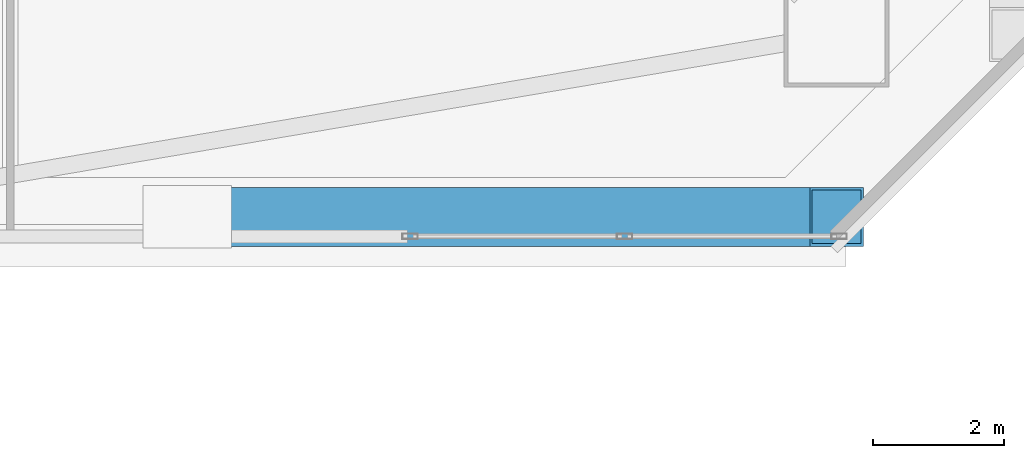
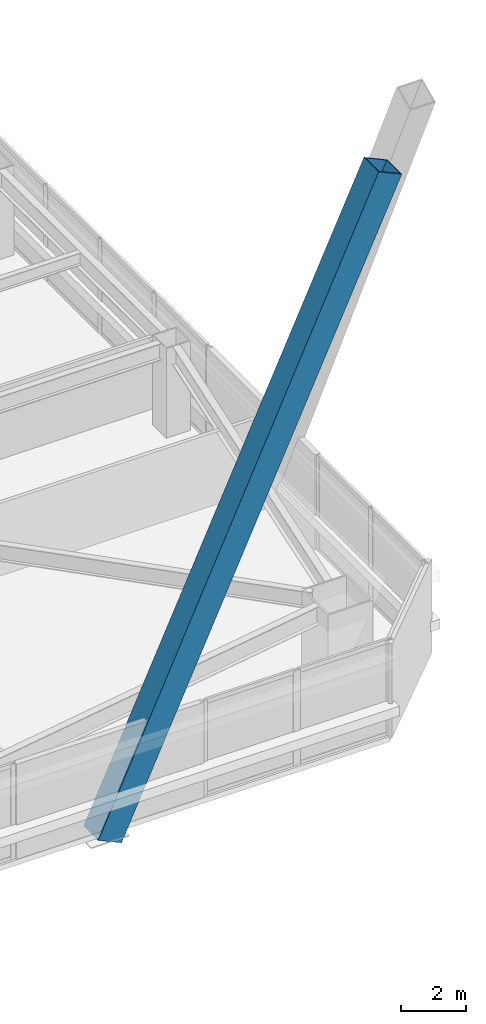
# One storey, part 11 of 75: 1 member.
"""IFC4 building model written with IfcOpenShell, lengths in metres."""

import ifcopenshell
import ifcopenshell.guid

model = None  # the IFC model being written
_history = None  # IfcOwnerHistory: only IFC2X3 demands one
_inside = {}  # id of a spatial element -> (the spatial element, [elements in it])
_under = {}  # id of a project, library or spatial element -> (it, [spatial elements below it])
_declared = {}  # id of a project -> (the project, [libraries it declares])
_typed = {}  # id of a type object -> (the type object, [elements of that type])
_made_of = {}  # id of a material, layer set ... -> (it, [elements and type objects made of it])


def new_model(schema):
    """Start an empty IFC model of exactly this schema.

    Asked for "IFC4X3", IfcOpenShell would pick the latest addendum, in which some entities
    have other attributes; the version numbers below select the first issue.
    IFC2X3 requires an IfcOwnerHistory on every rooted entity: one is made here for all.
    """
    global model, _history
    if schema == "IFC4X3":
        model = ifcopenshell.file(schema_version=(4, 3, 0, 0))
    else:
        model = ifcopenshell.file(schema=schema)
    _inside.clear()
    _under.clear()
    _declared.clear()
    _typed.clear()
    _made_of.clear()
    _history = None
    if model.schema == "IFC2X3":
        org = make("IfcOrganization", Name="unknown")
        user = make(
            "IfcPersonAndOrganization",
            ThePerson=make("IfcPerson", FamilyName="unknown"),
            TheOrganization=org,
        )
        app = make(
            "IfcApplication",
            ApplicationDeveloper=org,
            Version="unknown",
            ApplicationFullName="unknown",
            ApplicationIdentifier="unknown",
        )
        _history = make(
            "IfcOwnerHistory",
            OwningUser=user,
            OwningApplication=app,
            ChangeAction="ADDED",
            CreationDate=0,
        )
    return model


def make(cls, **values):
    """One entity of the class cls with the attributes given. An attribute that is None is left unset."""
    return model.create_entity(
        cls, **{name: value for name, value in values.items() if value is not None}
    )


def rooted(cls, **values):
    """An entity with a GlobalId (a new one), such as an element, a storey or a relation."""
    return make(cls, GlobalId=ifcopenshell.guid.new(), OwnerHistory=_history, **values)


def si_unit(unit_type, name, prefix=None):
    """IfcSIUnit, for example si_unit("LENGTHUNIT", "METRE", prefix="MILLI")."""
    return make("IfcSIUnit", UnitType=unit_type, Prefix=prefix, Name=name)


def assignment(units):
    """IfcUnitAssignment: the units of a project."""
    return None if units is None else make("IfcUnitAssignment", Units=units)


def point(xyz):
    """IfcCartesianPoint."""
    return None if xyz is None else make("IfcCartesianPoint", Coordinates=xyz)


def direction(xyz):
    """IfcDirection."""
    return None if xyz is None else make("IfcDirection", DirectionRatios=xyz)


def frame(location, z_axis=None, x_axis=None):
    """IfcAxis2Placement3D, a coordinate frame: its origin and axes. An axis left out is left unset."""
    return make(
        "IfcAxis2Placement3D",
        Location=point(location),
        Axis=direction(z_axis),
        RefDirection=direction(x_axis),
    )


def frame_2d(location, x_axis=None):
    """IfcAxis2Placement2D, a coordinate frame in the plane: its origin and x axis."""
    return make(
        "IfcAxis2Placement2D", Location=point(location), RefDirection=direction(x_axis)
    )


def origin():
    """The frame at (0, 0, 0) with its axes left unset."""
    return frame((0.0, 0.0, 0.0))


def origin_2d():
    """The frame at (0, 0) in the plane with its x axis left unset."""
    return frame_2d((0.0, 0.0))


def place(relative_to, where):
    """IfcLocalPlacement: puts the frame where relative to a parent placement (None: the world)."""
    return make(
        "IfcLocalPlacement", PlacementRelTo=relative_to, RelativePlacement=where
    )


def context(
    kind, dimensions, precision=None, world=None, true_north=None, identifier=None
):
    """IfcGeometricRepresentationContext, for example the 3D "Model" context."""
    return make(
        "IfcGeometricRepresentationContext",
        ContextIdentifier=identifier,
        ContextType=kind,
        CoordinateSpaceDimension=dimensions,
        Precision=precision,
        WorldCoordinateSystem=world,
        TrueNorth=true_north,
    )


def subcontext(parent, identifier, kind, view, scale=None):
    """IfcGeometricRepresentationSubContext, for example "Body" below "Model"."""
    return make(
        "IfcGeometricRepresentationSubContext",
        ContextIdentifier=identifier,
        ContextType=kind,
        ParentContext=parent,
        TargetScale=scale,
        TargetView=view,
    )


def project(units=None, contexts=None):
    """IfcProject with its units and contexts."""
    return rooted(
        "IfcProject",
        Name="project",
        RepresentationContexts=contexts,
        UnitsInContext=assignment(units),
    )


def spatial(cls, under=None, at=None, **own):
    """A site, building, storey or space (cls), placed at a placement, below another one or the project."""
    s = rooted(cls, ObjectPlacement=at, **own)
    if under is not None:
        _under.setdefault(under.id(), (under, []))[1].append(s)
    return s


def profile(cls, at=None, kind="AREA", **sizes):
    """A parametric profile (cls). Its sizes go by their IFC names, for example OverallWidth=200.0."""
    return make(cls, ProfileType=kind, Position=at, **sizes)


def hollow_rectangle(**sizes):
    """IfcRectangleHollowProfileDef."""
    return profile("IfcRectangleHollowProfileDef", **sizes)


def extrude(swept, where, along, depth):
    """IfcExtrudedAreaSolid: the profile swept, set in the frame where, extruded along a direction by depth."""
    return make(
        "IfcExtrudedAreaSolid",
        SweptArea=swept,
        Position=where,
        ExtrudedDirection=direction(along),
        Depth=depth,
    )


def shape(context_of_items, identifier, shape_type, items):
    """IfcShapeRepresentation: the items that make up one representation, for example the "Body"."""
    return make(
        "IfcShapeRepresentation",
        ContextOfItems=context_of_items,
        RepresentationIdentifier=identifier,
        RepresentationType=shape_type,
        Items=items,
    )


def material(Name=None, Category=None):
    """IfcMaterial."""
    return make("IfcMaterial", Name=Name, Category=Category)


def material_profile(
    of_material, cross_section, Name=None, Category=None, Priority=None
):
    """IfcMaterialProfile: a cross section and its material."""
    return make(
        "IfcMaterialProfile",
        Name=Name,
        Material=of_material,
        Profile=cross_section,
        Priority=Priority,
        Category=Category,
    )


def profile_set(profiles, Name=None, composite=None):
    """IfcMaterialProfileSet."""
    return make(
        "IfcMaterialProfileSet",
        Name=Name,
        MaterialProfiles=profiles,
        CompositeProfile=composite,
    )


def made_of(thing, what):
    """Note that an element or type object is made of a material, layer set ...; save() writes the relation."""
    if what is not None:
        _made_of.setdefault(what.id(), (what, []))[1].append(thing)
    return thing


def type_object(cls, material=None, **own):
    """A type object (cls), such as IfcWallType, which elements share."""
    return made_of(rooted(cls, **own), material)


def element(
    cls,
    number,
    at=None,
    inside=None,
    cuts=None,
    type_object=None,
    material=None,
    context=None,
    identifier="Body",
    shape_type=None,
    held_by="IfcProductDefinitionShape",
    body=None,
    shapes=None,
    **own,
):
    """One element of the class cls, such as IfcWall. Its Tag is "e" and its number.

    at: its placement. inside: the storey or other place that contains it. cuts: it is an
    opening in that element (IfcRelVoidsElement). A single representation is given by context,
    identifier, shape_type and body (its items); several are given by shapes. held_by: the class
    of the entity that holds the representations. save() writes the other relations.
    """
    e = rooted(cls, Tag="e%d" % number, ObjectPlacement=at, **own)
    if body is not None:
        shapes = [shape(context, identifier, shape_type, body)]
    if shapes is not None:
        e.Representation = make(held_by, Representations=shapes)
    if inside is not None:
        _inside.setdefault(inside.id(), (inside, []))[1].append(e)
    if cuts is not None:
        rooted(
            "IfcRelVoidsElement", RelatingBuildingElement=cuts, RelatedOpeningElement=e
        )
    if type_object is not None:
        _typed.setdefault(type_object.id(), (type_object, []))[1].append(e)
    return made_of(e, material)


def aggregate(whole, parts):
    """IfcRelAggregates: a whole, such as a stair, and the parts it consists of."""
    return rooted("IfcRelAggregates", RelatingObject=whole, RelatedObjects=parts)


def save(model, path):
    """Write the relations noted so far, then the file.

    IfcRelAggregates (storeys below a building ...), IfcRelContainedInSpatialStructure (elements
    in a storey), IfcRelDefinesByType, IfcRelAssociatesMaterial and IfcRelDeclares: one each for
    every whole, place, type object, material and project.
    """
    for whole, parts in _under.values():
        aggregate(whole, parts)
    for where, things in _inside.values():
        rooted(
            "IfcRelContainedInSpatialStructure",
            RelatedElements=things,
            RelatingStructure=where,
        )
    for kind, things in _typed.values():
        rooted("IfcRelDefinesByType", RelatedObjects=things, RelatingType=kind)
    for what, things in _made_of.values():
        rooted("IfcRelAssociatesMaterial", RelatedObjects=things, RelatingMaterial=what)
    for by, libraries in _declared.values():
        rooted("IfcRelDeclares", RelatingContext=by, RelatedDefinitions=libraries)
    model.write(path)


model = new_model("IFC4")

# Units and contexts
model_context = context("Model", 3, precision=1e-05, world=origin(), true_north=direction((0.0, 1.0)))
body_context = subcontext(model_context, "Body", "Model", "MODEL_VIEW")
ifc_project = project(units=[si_unit("LENGTHUNIT", "METRE"), si_unit("AREAUNIT", "SQUARE_METRE"), si_unit("VOLUMEUNIT", "CUBIC_METRE"), si_unit("PLANEANGLEUNIT", "RADIAN"), si_unit("MASSUNIT", "GRAM", prefix="KILO")], contexts=[model_context])

# Site, building, storey
site_placement = place(None, origin())
site = spatial("IfcSite", under=ifc_project, at=site_placement, CompositionType="ELEMENT")
building_placement = place(site_placement, origin())
building = spatial("IfcBuilding", under=site, at=building_placement, Name="Tashvorn Skyway Center", CompositionType="ELEMENT")
storey_placement = place(building_placement, frame((0.0, 0.0, 45.89990234375)))
storey = spatial("IfcBuildingStorey", under=building, at=storey_placement, Name="L11", CompositionType="ELEMENT", Elevation=45.89990234375)

# Member
ifc_material = material(Name="Steel ASTM A572 Grade 50", Category="steel")
ifc_material_profile = material_profile(ifc_material, hollow_rectangle(XDim=0.89990234375, YDim=0.89990234375, WallThickness=0.0400390625, at=origin_2d()), Name="BOX900x900x40")
ifc_profile_set = profile_set([ifc_material_profile], Name="Steel ASTM A572 Grade 50")
member_type = type_object("IfcMemberType", Name="MEM-MB-900", PredefinedType="BRACE", material=ifc_profile_set)
member_placement = place(storey_placement, frame((51.89990234375, 9.419921875, -0.449951171875), z_axis=(0.418259378631, 0.0, 0.908327634825), x_axis=(0.0, 1.0, 0.0)))
element("IfcMember", 1, at=member_placement, inside=storey, type_object=member_type, Name="Tower 1 Zone 1 S Chevron Mega-Brace R2", PredefinedType="BRACE", context=body_context, shape_type="SweptSolid", body=[
    extrude(hollow_rectangle(XDim=0.89990234375, YDim=0.89990234375, WallThickness=0.0400390625, at=origin_2d()), origin(), (0.0, 0.0, 1.0), 23.669921875),
])

save(model, "model.ifc")
